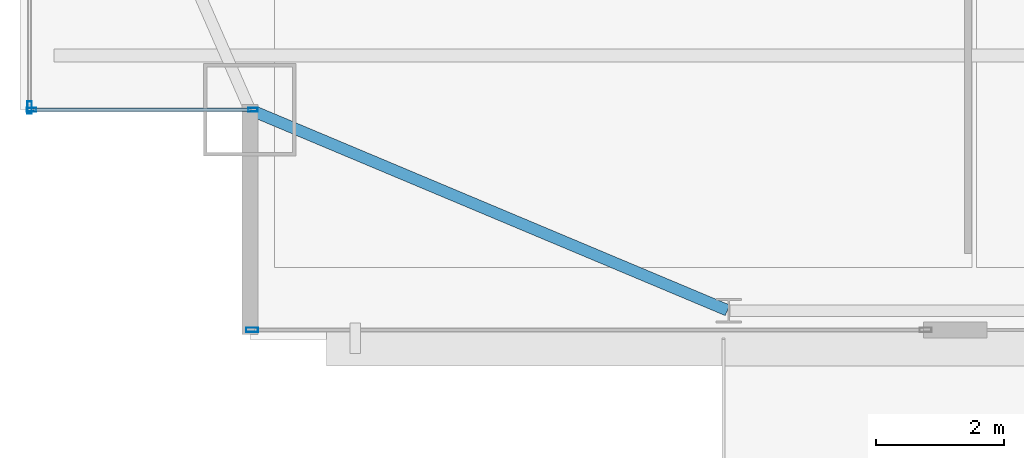
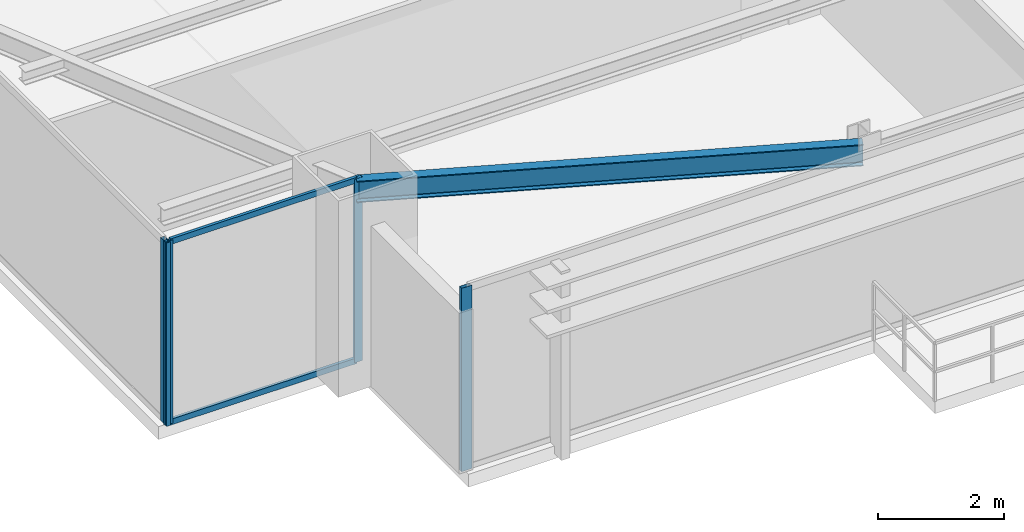
# One storey, part 3 of 37: 6 members, 1 beam, 3 elements without a shape of their own.
"""IFC4 building model written with IfcOpenShell, lengths in metres."""

from ifc_helpers import new_model, si_unit, direction, frame, origin, origin_2d, place, context, subcontext, project, spatial, hollow_rectangle, i_section, extrude, source, transform, mapped, material, layer, layer_set, material_profile, profile_set, type_object, type_shapes, element, aggregate, save


model = new_model("IFC4")

# Units and contexts
model_context = context("Model", 3, precision=1e-05, world=origin(), true_north=direction((0.0, 1.0)))
body_context = subcontext(model_context, "Body", "Model", "MODEL_VIEW")
ifc_project = project(units=[si_unit("LENGTHUNIT", "METRE"), si_unit("AREAUNIT", "SQUARE_METRE"), si_unit("VOLUMEUNIT", "CUBIC_METRE"), si_unit("PLANEANGLEUNIT", "RADIAN"), si_unit("MASSUNIT", "GRAM", prefix="KILO")], contexts=[model_context])

# Site, building, storey
site_placement = place(None, origin())
site = spatial("IfcSite", under=ifc_project, at=site_placement, CompositionType="ELEMENT")
building_placement = place(site_placement, origin())
building = spatial("IfcBuilding", under=site, at=building_placement, Name="Varnel Quay Broadcast Tower", CompositionType="ELEMENT")
storey_placement = place(building_placement, frame((0.0, 0.0, 106.800048828125)))
storey = spatial("IfcBuildingStorey", under=building, at=storey_placement, Name="L25", CompositionType="ELEMENT", Elevation=106.800048828125)

# Beam
ifc_material_1 = material(Name="Structural Steel CSA G40.21 350W", Category="steel")
ifc_material_profile_1 = material_profile(ifc_material_1, i_section(OverallWidth=0.180908203125, OverallDepth=0.4169921875, WebThickness=0.010986328125, FlangeThickness=0.018310546875, FilletRadius=0.011962890625, at=origin_2d()), Name="W410X85")
ifc_profile_set_1 = profile_set([ifc_material_profile_1], Name="Structural Steel CSA G40.21 350W")
beam_type = type_object("IfcBeamType", Name="Beam_W410X85", PredefinedType="SPANDREL", material=ifc_profile_set_1)
shared_shape_1 = source(origin(), body_context, "Body", "SweptSolid", [
    extrude(i_section(OverallWidth=0.180908203125, OverallDepth=0.4169921875, WebThickness=0.010986328125, FlangeThickness=0.018310546875, FilletRadius=0.011962890625, at=origin_2d()), origin(), (0.0, 0.0, 1.0), 8.0947265625),
])
type_shapes(beam_type, [shared_shape_1])
beam_placement = place(storey_placement, frame((8.118408203125, 7.792236328125, 3.341552734375), z_axis=(0.921981890247, -0.387232997117, 0.0), x_axis=(0.387232997117, 0.921981890247, 0.0)))
element("IfcBeam", 1, at=beam_placement, inside=storey, type_object=beam_type, Name="L25 South Spandrel MC-SW-TC-S1", PredefinedType="SPANDREL", context=body_context, shape_type="MappedRepresentation", body=[
    mapped(shared_shape_1, transform((0.0, 0.0, 0.0), x_axis=(1.0, 0.0, 0.0), y_axis=(0.0, 1.0, 0.0), z_axis=(0.0, 0.0, 1.0), scale=1.0)),
])

# Curtain wall, members
ifc_material_2 = material(Name="Anodised Bronze Aluminium 6063-T6", Category="aluminium")
ifc_layer_1 = layer(ifc_material_2, 0.18994140625, Name="Anodised Bronze Aluminium 6063-T6")
ifc_layer_set_1 = layer_set([ifc_layer_1], Name="Anodised Bronze Aluminium 6063-T6")
curtain_wall_type_1 = type_object("IfcCurtainWallType", Name="CW_NotchCorner", PredefinedType="NOTDEFINED", material=ifc_layer_set_1)
curtain_wall_1_placement = place(storey_placement, origin())
curtain_wall_1 = element("IfcCurtainWall", 2, at=curtain_wall_1_placement, inside=storey, type_object=curtain_wall_type_1, Name="L25 SW Notch Curtain Wall", PredefinedType="NOTDEFINED")
ifc_material_profile_2 = material_profile(ifc_material_2, hollow_rectangle(XDim=0.054931640625, YDim=0.110107421875, WallThickness=0.0029296875, at=origin_2d()), Name="ALU55X110X3")
ifc_profile_set_2 = profile_set([ifc_material_profile_2], Name="Anodised Bronze Aluminium 6063-T6")
member_type_1 = type_object("IfcMemberType", Name="Tran_CWS-04", PredefinedType="USERDEFINED", material=ifc_profile_set_2)
shared_shape_2 = source(origin(), body_context, "Body", "SweptSolid", [
    extrude(hollow_rectangle(XDim=0.054931640625, YDim=0.110107421875, WallThickness=0.0029296875, at=origin_2d()), origin(), (0.0, 0.0, 1.0), 3.41015625),
])
type_shapes(member_type_1, [shared_shape_2])
member_1_placement = place(storey_placement, frame((4.7099609375, 7.800048828125, 0.02734375), z_axis=(1.0, 0.0, 0.0), x_axis=(0.0, 1.0, 0.0)))
member_1 = element("IfcMember", 3, at=member_1_placement, type_object=member_type_1, Name="CWS-04 transom 1.1", ObjectType="TRANSOM", PredefinedType="USERDEFINED", context=body_context, shape_type="MappedRepresentation", body=[
    mapped(shared_shape_2, transform((0.0, 0.0, 0.0), x_axis=(1.0, 0.0, 0.0), y_axis=(0.0, 1.0, 0.0), z_axis=(0.0, 0.0, 1.0), scale=1.0)),
])
member_2_placement = place(storey_placement, frame((4.7099609375, 7.800048828125, 3.5224609375), z_axis=(1.0, 0.0, 0.0), x_axis=(0.0, 1.0, 0.0)))
member_2 = element("IfcMember", 4, at=member_2_placement, type_object=member_type_1, Name="CWS-04 transom 1.2", ObjectType="TRANSOM", PredefinedType="USERDEFINED", context=body_context, shape_type="MappedRepresentation", body=[
    mapped(shared_shape_2, transform((0.0, 0.0, 0.0), x_axis=(1.0, 0.0, 0.0), y_axis=(0.0, 1.0, 0.0), z_axis=(0.0, 0.0, 1.0), scale=1.0)),
])

# Curtain wall, member
ifc_layer_2 = layer(ifc_material_2, 0.18994140625, Name="Anodised Bronze Aluminium 6063-T6")
ifc_layer_set_2 = layer_set([ifc_layer_2], Name="Anodised Bronze Aluminium 6063-T6")
curtain_wall_type_2 = type_object("IfcCurtainWallType", Name="CW_LowerTower", PredefinedType="NOTDEFINED", material=ifc_layer_set_2)
curtain_wall_2_placement = place(storey_placement, origin())
curtain_wall_2 = element("IfcCurtainWall", 5, at=curtain_wall_2_placement, inside=storey, type_object=curtain_wall_type_2, Name="L25 South Unitised Curtain Wall 1", PredefinedType="NOTDEFINED")
ifc_material_profile_3 = material_profile(ifc_material_2, hollow_rectangle(XDim=0.070068359375, YDim=0.18994140625, WallThickness=0.00390625, at=origin_2d()), Name="ALU70X190X4")
ifc_profile_set_3 = profile_set([ifc_material_profile_3], Name="Anodised Bronze Aluminium 6063-T6")
member_type_2 = type_object("IfcMemberType", Name="Mull_CWS-02", PredefinedType="MULLION", material=ifc_profile_set_3)
shared_shape_3 = source(origin(), body_context, "Body", "SweptSolid", [
    extrude(hollow_rectangle(XDim=0.070068359375, YDim=0.18994140625, WallThickness=0.00390625, at=origin_2d()), origin(), (0.0, 0.0, 1.0), 3.550048828125),
])
type_shapes(member_type_2, [shared_shape_3])
member_3_placement = place(storey_placement, frame((8.135009765625, 4.35009765625, 0.0), z_axis=(0.0, 0.0, 1.0), x_axis=(0.0, 1.0, 0.0)))
member_3 = element("IfcMember", 6, at=member_3_placement, type_object=member_type_2, Name="CWS-02 mullion 1", PredefinedType="MULLION", context=body_context, shape_type="MappedRepresentation", body=[
    mapped(shared_shape_3, transform((0.0, 0.0, 0.0), x_axis=(1.0, 0.0, 0.0), y_axis=(0.0, 1.0, 0.0), z_axis=(0.0, 0.0, 1.0), scale=1.0)),
])
aggregate(curtain_wall_2, [member_3])

curtain_wall_3_placement = place(storey_placement, origin())
curtain_wall_3 = element("IfcCurtainWall", 7, at=curtain_wall_3_placement, inside=storey, type_object=curtain_wall_type_2, Name="L25 West Unitised Curtain Wall", PredefinedType="NOTDEFINED")
member_4_placement = place(storey_placement, frame((4.64990234375, 7.8349609375, 0.0), z_axis=(0.0, 0.0, 1.0), x_axis=(-1.0, 0.0, 0.0)))
member_4 = element("IfcMember", 8, at=member_4_placement, type_object=member_type_2, Name="CWS-02 mullion 1", PredefinedType="MULLION", context=body_context, shape_type="MappedRepresentation", body=[
    mapped(shared_shape_3, transform((0.0, 0.0, 0.0), x_axis=(1.0, 0.0, 0.0), y_axis=(0.0, 1.0, 0.0), z_axis=(0.0, 0.0, 1.0), scale=1.0)),
])
aggregate(curtain_wall_3, [member_4])

# Member
ifc_material_profile_4 = material_profile(ifc_material_2, hollow_rectangle(XDim=0.06005859375, YDim=0.14501953125, WallThickness=0.00341796875, at=origin_2d()), Name="ALU60X145X3.5")
ifc_profile_set_4 = profile_set([ifc_material_profile_4], Name="Anodised Bronze Aluminium 6063-T6")
member_type_3 = type_object("IfcMemberType", Name="Mull_CWS-04", PredefinedType="MULLION", material=ifc_profile_set_4)
shared_shape_4 = source(origin(), body_context, "Body", "SweptSolid", [
    extrude(hollow_rectangle(XDim=0.06005859375, YDim=0.14501953125, WallThickness=0.00341796875, at=origin_2d()), origin(), (0.0, 0.0, 1.0), 3.550048828125),
])
type_shapes(member_type_3, [shared_shape_4])
member_5_placement = place(storey_placement, frame((4.679931640625, 7.800048828125, 0.0), z_axis=(0.0, 0.0, 1.0), x_axis=(0.0, 1.0, 0.0)))
member_5 = element("IfcMember", 9, at=member_5_placement, type_object=member_type_3, Name="CWS-04 mullion 1", PredefinedType="MULLION", context=body_context, shape_type="MappedRepresentation", body=[
    mapped(shared_shape_4, transform((0.0, 0.0, 0.0), x_axis=(1.0, 0.0, 0.0), y_axis=(0.0, 1.0, 0.0), z_axis=(0.0, 0.0, 1.0), scale=1.0)),
])

member_6_placement = place(storey_placement, frame((8.14990234375, 7.800048828125, 0.0), z_axis=(0.0, 0.0, 1.0), x_axis=(0.0, 1.0, 0.0)))
member_6 = element("IfcMember", 10, at=member_6_placement, type_object=member_type_3, Name="CWS-04 mullion 2", PredefinedType="MULLION", context=body_context, shape_type="MappedRepresentation", body=[
    mapped(shared_shape_4, transform((0.0, 0.0, 0.0), x_axis=(1.0, 0.0, 0.0), y_axis=(0.0, 1.0, 0.0), z_axis=(0.0, 0.0, 1.0), scale=1.0)),
])

aggregate(curtain_wall_1, [member_5, member_6, member_1, member_2])

save(model, "model.ifc")
